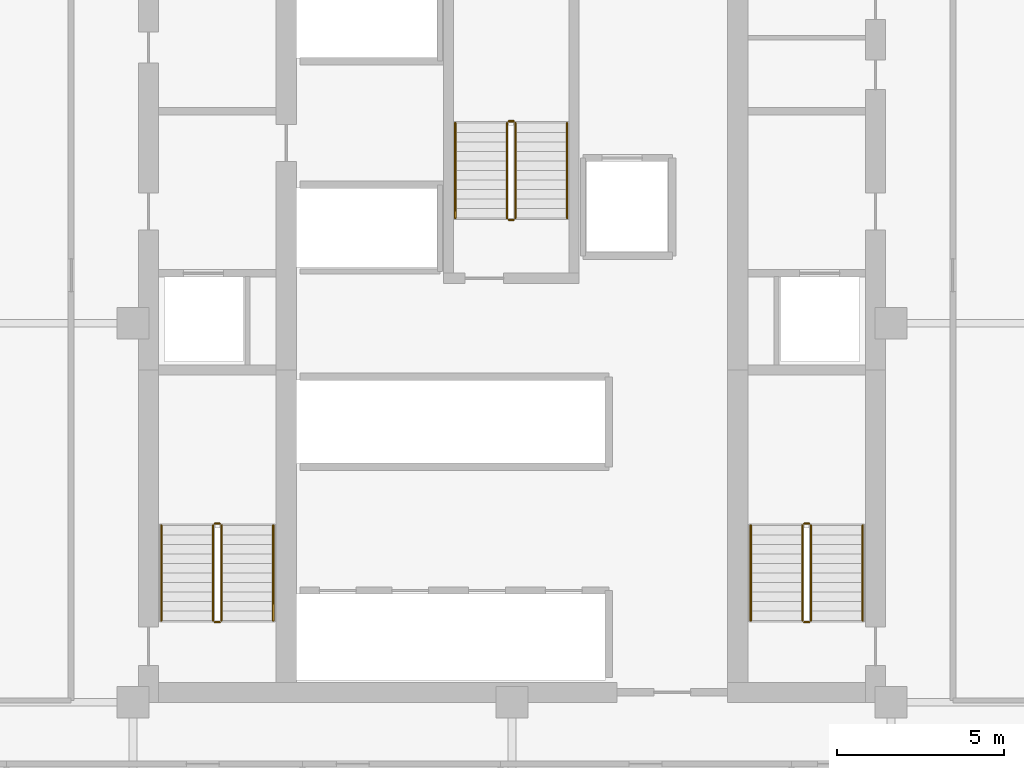
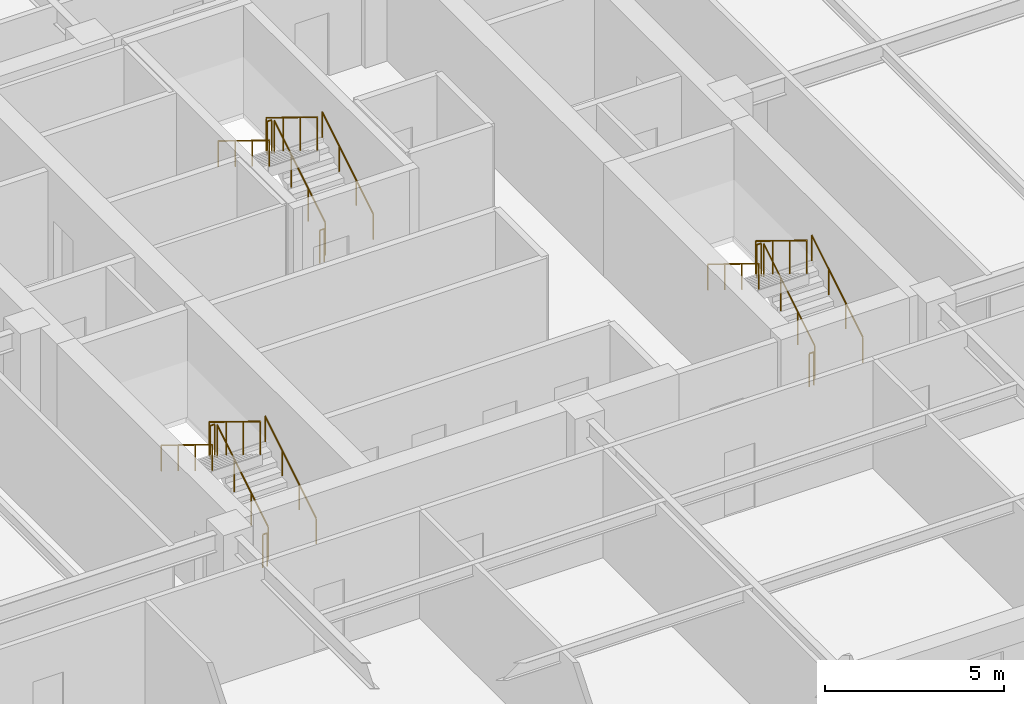
# One storey, part 6 of 6: 18 railings.
"""IFC4 building model written with IfcOpenShell, lengths in metres."""

from ifc_helpers import new_model, si_unit, direction, frame, origin, origin_2d, place, context, subcontext, project, spatial, circle, extrude, material, type_object, element, save


model = new_model("IFC4")

# Units and contexts
model_context = context("Model", 3, precision=1e-05, world=origin(), true_north=direction((0.0, 1.0)))
body_context = subcontext(model_context, "Body", "Model", "MODEL_VIEW")
ifc_project = project(units=[si_unit("LENGTHUNIT", "METRE"), si_unit("AREAUNIT", "SQUARE_METRE"), si_unit("VOLUMEUNIT", "CUBIC_METRE"), si_unit("PLANEANGLEUNIT", "RADIAN"), si_unit("MASSUNIT", "GRAM", prefix="KILO")], contexts=[model_context])

# Site, building, storey
site_placement = place(None, origin())
site = spatial("IfcSite", under=ifc_project, at=site_placement, CompositionType="ELEMENT")
building_placement = place(site_placement, origin())
building = spatial("IfcBuilding", under=site, at=building_placement, Name="Nhamokura Convention Tower", CompositionType="ELEMENT")
storey_placement = place(building_placement, frame((0.0, 0.0, 160.64990234375)))
storey = spatial("IfcBuildingStorey", under=building, at=storey_placement, Name="L39", CompositionType="ELEMENT", Elevation=160.64990234375)

# Railings
ifc_material_1 = material(Name="Anodised bronze stainless steel", Category="steel")
railing_type_1 = type_object("IfcRailingType", Name="StairWallHandrail_900", PredefinedType="HANDRAIL", material=ifc_material_1)
railing_1_placement = place(storey_placement, frame((24.85009765625, 23.10009765625, 0.175048828125)))
element("IfcRailing", 1, at=railing_1_placement, inside=storey, type_object=railing_type_1, Name="L39 ST-01 stair handrail 1", PredefinedType="HANDRAIL", context=body_context, shape_type="SweptSolid", body=[
    extrude(circle(Radius=0.02392578125, at=origin_2d()), frame((0.0, 0.0, 0.8759765625), z_axis=(0.0, 0.852159232446, 0.523282564737), x_axis=(-1.0, 0.0, 0.0)), (0.0, 0.0, 1.0), 3.34423828125),
    extrude(circle(Radius=0.02099609375, at=origin_2d()), origin(), (0.0, 0.0, 1.0), 0.851806640625),
    extrude(circle(Radius=0.02099609375, at=origin_2d()), frame((0.0, 0.949951171875, 0.583251953125)), (0.0, 0.0, 1.0), 0.851806640625),
    extrude(circle(Radius=0.02099609375, at=origin_2d()), frame((0.0, 1.89990234375, 1.166748046875)), (0.0, 0.0, 1.0), 0.851806640625),
    extrude(circle(Radius=0.02099609375, at=origin_2d()), frame((0.0, 2.849853515625, 1.75)), (0.0, 0.0, 1.0), 0.851806640625),
])
railing_2_placement = place(storey_placement, frame((21.5, 25.949951171875, 2.10009765625)))
element("IfcRailing", 2, at=railing_2_placement, inside=storey, type_object=railing_type_1, Name="L39 ST-01 stair handrail 2", PredefinedType="HANDRAIL", context=body_context, shape_type="SweptSolid", body=[
    extrude(circle(Radius=0.02392578125, at=origin_2d()), frame((0.0, 0.0, 0.8759765625), z_axis=(0.0, -0.852159232446, 0.523282564737), x_axis=(1.0, 0.0, 0.0)), (0.0, 0.0, 1.0), 3.34423828125),
    extrude(circle(Radius=0.02099609375, at=origin_2d()), origin(), (0.0, 0.0, 1.0), 0.851806640625),
    extrude(circle(Radius=0.02099609375, at=origin_2d()), frame((0.0, -0.949951171875, 0.583251953125)), (0.0, 0.0, 1.0), 0.851806640625),
    extrude(circle(Radius=0.02099609375, at=origin_2d()), frame((0.0, -1.89990234375, 1.166748046875)), (0.0, 0.0, 1.0), 0.851806640625),
    extrude(circle(Radius=0.02099609375, at=origin_2d()), frame((0.0, -2.849853515625, 1.75)), (0.0, 0.0, 1.0), 0.851806640625),
])
railing_3_placement = place(storey_placement, frame((42.5, 23.10009765625, 0.175048828125)))
element("IfcRailing", 3, at=railing_3_placement, inside=storey, type_object=railing_type_1, Name="L39 ST-02 stair handrail 1", PredefinedType="HANDRAIL", context=body_context, shape_type="SweptSolid", body=[
    extrude(circle(Radius=0.02392578125, at=origin_2d()), frame((0.0, 0.0, 0.8759765625), z_axis=(0.0, 0.852159232446, 0.523282564737), x_axis=(-1.0, 0.0, 0.0)), (0.0, 0.0, 1.0), 3.34423828125),
    extrude(circle(Radius=0.02099609375, at=origin_2d()), origin(), (0.0, 0.0, 1.0), 0.851806640625),
    extrude(circle(Radius=0.02099609375, at=origin_2d()), frame((0.0, 0.949951171875, 0.583251953125)), (0.0, 0.0, 1.0), 0.851806640625),
    extrude(circle(Radius=0.02099609375, at=origin_2d()), frame((0.0, 1.89990234375, 1.166748046875)), (0.0, 0.0, 1.0), 0.851806640625),
    extrude(circle(Radius=0.02099609375, at=origin_2d()), frame((0.0, 2.849853515625, 1.75)), (0.0, 0.0, 1.0), 0.851806640625),
])
railing_4_placement = place(storey_placement, frame((39.14990234375, 25.949951171875, 2.10009765625)))
element("IfcRailing", 4, at=railing_4_placement, inside=storey, type_object=railing_type_1, Name="L39 ST-02 stair handrail 2", PredefinedType="HANDRAIL", context=body_context, shape_type="SweptSolid", body=[
    extrude(circle(Radius=0.02392578125, at=origin_2d()), frame((0.0, 0.0, 0.8759765625), z_axis=(0.0, -0.852159232446, 0.523282564737), x_axis=(1.0, 0.0, 0.0)), (0.0, 0.0, 1.0), 3.34423828125),
    extrude(circle(Radius=0.02099609375, at=origin_2d()), origin(), (0.0, 0.0, 1.0), 0.851806640625),
    extrude(circle(Radius=0.02099609375, at=origin_2d()), frame((0.0, -0.949951171875, 0.583251953125)), (0.0, 0.0, 1.0), 0.851806640625),
    extrude(circle(Radius=0.02099609375, at=origin_2d()), frame((0.0, -1.89990234375, 1.166748046875)), (0.0, 0.0, 1.0), 0.851806640625),
    extrude(circle(Radius=0.02099609375, at=origin_2d()), frame((0.0, -2.849853515625, 1.75)), (0.0, 0.0, 1.0), 0.851806640625),
])
railing_5_placement = place(storey_placement, frame((33.64990234375, 35.14990234375, 0.175048828125)))
element("IfcRailing", 5, at=railing_5_placement, inside=storey, type_object=railing_type_1, Name="L39 ST-03 stair handrail 1", PredefinedType="HANDRAIL", context=body_context, shape_type="SweptSolid", body=[
    extrude(circle(Radius=0.02392578125, at=origin_2d()), frame((0.0, 0.0, 0.8759765625), z_axis=(0.0, 0.852179220489, 0.52325001306), x_axis=(-1.0, 0.0, 0.0)), (0.0, 0.0, 1.0), 3.344482421875),
    extrude(circle(Radius=0.02099609375, at=origin_2d()), origin(), (0.0, 0.0, 1.0), 0.851806640625),
    extrude(circle(Radius=0.02099609375, at=origin_2d()), frame((0.0, 0.949951171875, 0.583251953125)), (0.0, 0.0, 1.0), 0.851806640625),
    extrude(circle(Radius=0.02099609375, at=origin_2d()), frame((0.0, 1.900146484375, 1.166748046875)), (0.0, 0.0, 1.0), 0.851806640625),
    extrude(circle(Radius=0.02099609375, at=origin_2d()), frame((0.0, 2.85009765625, 1.75)), (0.0, 0.0, 1.0), 0.851806640625),
])
railing_6_placement = place(storey_placement, frame((30.300048828125, 38.0, 2.10009765625)))
element("IfcRailing", 6, at=railing_6_placement, inside=storey, type_object=railing_type_1, Name="L39 ST-03 stair handrail 2", PredefinedType="HANDRAIL", context=body_context, shape_type="SweptSolid", body=[
    extrude(circle(Radius=0.02392578125, at=origin_2d()), frame((0.0, 0.0, 0.8759765625), z_axis=(0.0, -0.852179220489, 0.52325001306), x_axis=(1.0, 0.0, 0.0)), (0.0, 0.0, 1.0), 3.344482421875),
    extrude(circle(Radius=0.02099609375, at=origin_2d()), origin(), (0.0, 0.0, 1.0), 0.851806640625),
    extrude(circle(Radius=0.02099609375, at=origin_2d()), frame((0.0, -0.949951171875, 0.583251953125)), (0.0, 0.0, 1.0), 0.851806640625),
    extrude(circle(Radius=0.02099609375, at=origin_2d()), frame((0.0, -1.900146484375, 1.166748046875)), (0.0, 0.0, 1.0), 0.851806640625),
    extrude(circle(Radius=0.02099609375, at=origin_2d()), frame((0.0, -2.85009765625, 1.75)), (0.0, 0.0, 1.0), 0.851806640625),
])
ifc_material_2 = material(Name="Painted tubular steel", Category="steel")
railing_type_2 = type_object("IfcRailingType", Name="StairWellGuardrail_1150", PredefinedType="GUARDRAIL", material=ifc_material_2)
railing_7_placement = place(storey_placement, frame((23.300048828125, 23.10009765625, 0.175048828125)))
element("IfcRailing", 7, at=railing_7_placement, inside=storey, type_object=railing_type_2, Name="L39 ST-01 stair guard 1", PredefinedType="GUARDRAIL", context=body_context, shape_type="SweptSolid", body=[
    extrude(circle(Radius=0.02392578125, at=origin_2d()), frame((0.0, 0.0, 1.1259765625), z_axis=(0.0, 0.852159232446, 0.523282564737), x_axis=(-1.0, 0.0, 0.0)), (0.0, 0.0, 1.0), 3.34423828125),
    extrude(circle(Radius=0.02099609375, at=origin_2d()), origin(), (0.0, 0.0, 1.0), 1.101806640625),
    extrude(circle(Radius=0.02099609375, at=origin_2d()), frame((0.0, 0.949951171875, 0.583251953125)), (0.0, 0.0, 1.0), 1.101806640625),
    extrude(circle(Radius=0.02099609375, at=origin_2d()), frame((0.0, 1.89990234375, 1.166748046875)), (0.0, 0.0, 1.0), 1.101806640625),
    extrude(circle(Radius=0.02099609375, at=origin_2d()), frame((0.0, 2.849853515625, 1.75)), (0.0, 0.0, 1.0), 1.101806640625),
])
railing_8_placement = place(storey_placement, frame((23.25, 26.0, 1.925048828125)))
element("IfcRailing", 8, at=railing_8_placement, inside=storey, type_object=railing_type_2, Name="L39 ST-01 stair guard 2", PredefinedType="GUARDRAIL", context=body_context, shape_type="SweptSolid", body=[
    extrude(circle(Radius=0.02392578125, at=origin_2d()), frame((0.0, 0.0, 1.1259765625), z_axis=(-1.0, 0.0, 0.0), x_axis=(0.0, -1.0, 0.0)), (0.0, 0.0, 1.0), 0.14990234375),
    extrude(circle(Radius=0.02099609375, at=origin_2d()), origin(), (0.0, 0.0, 1.0), 1.101806640625),
    extrude(circle(Radius=0.02099609375, at=origin_2d()), frame((-0.14990234375, 0.0, 0.0)), (0.0, 0.0, 1.0), 1.101806640625),
])
railing_9_placement = place(storey_placement, frame((23.050048828125, 25.949951171875, 2.10009765625)))
element("IfcRailing", 9, at=railing_9_placement, inside=storey, type_object=railing_type_2, Name="L39 ST-01 stair guard 3", PredefinedType="GUARDRAIL", context=body_context, shape_type="SweptSolid", body=[
    extrude(circle(Radius=0.02392578125, at=origin_2d()), frame((0.0, 0.0, 1.1259765625), z_axis=(0.0, -0.852159232446, 0.523282564737), x_axis=(1.0, 0.0, 0.0)), (0.0, 0.0, 1.0), 3.34423828125),
    extrude(circle(Radius=0.02099609375, at=origin_2d()), origin(), (0.0, 0.0, 1.0), 1.101806640625),
    extrude(circle(Radius=0.02099609375, at=origin_2d()), frame((0.0, -0.949951171875, 0.583251953125)), (0.0, 0.0, 1.0), 1.101806640625),
    extrude(circle(Radius=0.02099609375, at=origin_2d()), frame((0.0, -1.89990234375, 1.166748046875)), (0.0, 0.0, 1.0), 1.101806640625),
    extrude(circle(Radius=0.02099609375, at=origin_2d()), frame((0.0, -2.849853515625, 1.75)), (0.0, 0.0, 1.0), 1.101806640625),
])
railing_10_placement = place(storey_placement, frame((23.25, 23.050048828125, 0.0)))
element("IfcRailing", 10, at=railing_10_placement, inside=storey, type_object=railing_type_2, Name="L39 ST-01 stair guard 4", PredefinedType="GUARDRAIL", context=body_context, shape_type="SweptSolid", body=[
    extrude(circle(Radius=0.02392578125, at=origin_2d()), frame((0.0, 0.0, 1.1259765625), z_axis=(-1.0, 0.0, 0.0), x_axis=(0.0, -1.0, 0.0)), (0.0, 0.0, 1.0), 0.14990234375),
    extrude(circle(Radius=0.02099609375, at=origin_2d()), origin(), (0.0, 0.0, 1.0), 1.101806640625),
    extrude(circle(Radius=0.02099609375, at=origin_2d()), frame((-0.14990234375, 0.0, 0.0)), (0.0, 0.0, 1.0), 1.101806640625),
])
railing_11_placement = place(storey_placement, frame((40.949951171875, 23.10009765625, 0.175048828125)))
element("IfcRailing", 11, at=railing_11_placement, inside=storey, type_object=railing_type_2, Name="L39 ST-02 stair guard 1", PredefinedType="GUARDRAIL", context=body_context, shape_type="SweptSolid", body=[
    extrude(circle(Radius=0.02392578125, at=origin_2d()), frame((0.0, 0.0, 1.1259765625), z_axis=(0.0, 0.852159232446, 0.523282564737), x_axis=(-1.0, 0.0, 0.0)), (0.0, 0.0, 1.0), 3.34423828125),
    extrude(circle(Radius=0.02099609375, at=origin_2d()), origin(), (0.0, 0.0, 1.0), 1.101806640625),
    extrude(circle(Radius=0.02099609375, at=origin_2d()), frame((0.0, 0.949951171875, 0.583251953125)), (0.0, 0.0, 1.0), 1.101806640625),
    extrude(circle(Radius=0.02099609375, at=origin_2d()), frame((0.0, 1.89990234375, 1.166748046875)), (0.0, 0.0, 1.0), 1.101806640625),
    extrude(circle(Radius=0.02099609375, at=origin_2d()), frame((0.0, 2.849853515625, 1.75)), (0.0, 0.0, 1.0), 1.101806640625),
])
railing_12_placement = place(storey_placement, frame((40.89990234375, 26.0, 1.925048828125)))
element("IfcRailing", 12, at=railing_12_placement, inside=storey, type_object=railing_type_2, Name="L39 ST-02 stair guard 2", PredefinedType="GUARDRAIL", context=body_context, shape_type="SweptSolid", body=[
    extrude(circle(Radius=0.02392578125, at=origin_2d()), frame((0.0, 0.0, 1.1259765625), z_axis=(-1.0, 0.0, 0.0), x_axis=(0.0, -1.0, 0.0)), (0.0, 0.0, 1.0), 0.14990234375),
    extrude(circle(Radius=0.02099609375, at=origin_2d()), origin(), (0.0, 0.0, 1.0), 1.101806640625),
    extrude(circle(Radius=0.02099609375, at=origin_2d()), frame((-0.14990234375, 0.0, 0.0)), (0.0, 0.0, 1.0), 1.101806640625),
])
railing_13_placement = place(storey_placement, frame((40.699951171875, 25.949951171875, 2.10009765625)))
element("IfcRailing", 13, at=railing_13_placement, inside=storey, type_object=railing_type_2, Name="L39 ST-02 stair guard 3", PredefinedType="GUARDRAIL", context=body_context, shape_type="SweptSolid", body=[
    extrude(circle(Radius=0.02392578125, at=origin_2d()), frame((0.0, 0.0, 1.1259765625), z_axis=(0.0, -0.852159232446, 0.523282564737), x_axis=(1.0, 0.0, 0.0)), (0.0, 0.0, 1.0), 3.34423828125),
    extrude(circle(Radius=0.02099609375, at=origin_2d()), origin(), (0.0, 0.0, 1.0), 1.101806640625),
    extrude(circle(Radius=0.02099609375, at=origin_2d()), frame((0.0, -0.949951171875, 0.583251953125)), (0.0, 0.0, 1.0), 1.101806640625),
    extrude(circle(Radius=0.02099609375, at=origin_2d()), frame((0.0, -1.89990234375, 1.166748046875)), (0.0, 0.0, 1.0), 1.101806640625),
    extrude(circle(Radius=0.02099609375, at=origin_2d()), frame((0.0, -2.849853515625, 1.75)), (0.0, 0.0, 1.0), 1.101806640625),
])
railing_14_placement = place(storey_placement, frame((40.89990234375, 23.050048828125, 0.0)))
element("IfcRailing", 14, at=railing_14_placement, inside=storey, type_object=railing_type_2, Name="L39 ST-02 stair guard 4", PredefinedType="GUARDRAIL", context=body_context, shape_type="SweptSolid", body=[
    extrude(circle(Radius=0.02392578125, at=origin_2d()), frame((0.0, 0.0, 1.1259765625), z_axis=(-1.0, 0.0, 0.0), x_axis=(0.0, -1.0, 0.0)), (0.0, 0.0, 1.0), 0.14990234375),
    extrude(circle(Radius=0.02099609375, at=origin_2d()), origin(), (0.0, 0.0, 1.0), 1.101806640625),
    extrude(circle(Radius=0.02099609375, at=origin_2d()), frame((-0.14990234375, 0.0, 0.0)), (0.0, 0.0, 1.0), 1.101806640625),
])
railing_15_placement = place(storey_placement, frame((32.10009765625, 35.14990234375, 0.175048828125)))
element("IfcRailing", 15, at=railing_15_placement, inside=storey, type_object=railing_type_2, Name="L39 ST-03 stair guard 1", PredefinedType="GUARDRAIL", context=body_context, shape_type="SweptSolid", body=[
    extrude(circle(Radius=0.02392578125, at=origin_2d()), frame((0.0, 0.0, 1.1259765625), z_axis=(0.0, 0.852179220489, 0.52325001306), x_axis=(-1.0, 0.0, 0.0)), (0.0, 0.0, 1.0), 3.344482421875),
    extrude(circle(Radius=0.02099609375, at=origin_2d()), origin(), (0.0, 0.0, 1.0), 1.101806640625),
    extrude(circle(Radius=0.02099609375, at=origin_2d()), frame((0.0, 0.949951171875, 0.583251953125)), (0.0, 0.0, 1.0), 1.101806640625),
    extrude(circle(Radius=0.02099609375, at=origin_2d()), frame((0.0, 1.900146484375, 1.166748046875)), (0.0, 0.0, 1.0), 1.101806640625),
    extrude(circle(Radius=0.02099609375, at=origin_2d()), frame((0.0, 2.85009765625, 1.75)), (0.0, 0.0, 1.0), 1.101806640625),
])
railing_16_placement = place(storey_placement, frame((32.050048828125, 38.050048828125, 1.925048828125)))
element("IfcRailing", 16, at=railing_16_placement, inside=storey, type_object=railing_type_2, Name="L39 ST-03 stair guard 2", PredefinedType="GUARDRAIL", context=body_context, shape_type="SweptSolid", body=[
    extrude(circle(Radius=0.02392578125, at=origin_2d()), frame((0.0, 0.0, 1.1259765625), z_axis=(-1.0, 0.0, 0.0), x_axis=(0.0, -1.0, 0.0)), (0.0, 0.0, 1.0), 0.150146484375),
    extrude(circle(Radius=0.02099609375, at=origin_2d()), origin(), (0.0, 0.0, 1.0), 1.101806640625),
    extrude(circle(Radius=0.02099609375, at=origin_2d()), frame((-0.150146484375, 0.0, 0.0)), (0.0, 0.0, 1.0), 1.101806640625),
])
railing_17_placement = place(storey_placement, frame((31.85009765625, 38.0, 2.10009765625)))
element("IfcRailing", 17, at=railing_17_placement, inside=storey, type_object=railing_type_2, Name="L39 ST-03 stair guard 3", PredefinedType="GUARDRAIL", context=body_context, shape_type="SweptSolid", body=[
    extrude(circle(Radius=0.02392578125, at=origin_2d()), frame((0.0, 0.0, 1.1259765625), z_axis=(0.0, -0.852179220489, 0.52325001306), x_axis=(1.0, 0.0, 0.0)), (0.0, 0.0, 1.0), 3.344482421875),
    extrude(circle(Radius=0.02099609375, at=origin_2d()), origin(), (0.0, 0.0, 1.0), 1.101806640625),
    extrude(circle(Radius=0.02099609375, at=origin_2d()), frame((0.0, -0.949951171875, 0.583251953125)), (0.0, 0.0, 1.0), 1.101806640625),
    extrude(circle(Radius=0.02099609375, at=origin_2d()), frame((0.0, -1.900146484375, 1.166748046875)), (0.0, 0.0, 1.0), 1.101806640625),
    extrude(circle(Radius=0.02099609375, at=origin_2d()), frame((0.0, -2.85009765625, 1.75)), (0.0, 0.0, 1.0), 1.101806640625),
])
railing_18_placement = place(storey_placement, frame((32.050048828125, 35.10009765625, 0.0)))
element("IfcRailing", 18, at=railing_18_placement, inside=storey, type_object=railing_type_2, Name="L39 ST-03 stair guard 4", PredefinedType="GUARDRAIL", context=body_context, shape_type="SweptSolid", body=[
    extrude(circle(Radius=0.02392578125, at=origin_2d()), frame((0.0, 0.0, 1.1259765625), z_axis=(-1.0, 0.0, 0.0), x_axis=(0.0, -1.0, 0.0)), (0.0, 0.0, 1.0), 0.150146484375),
    extrude(circle(Radius=0.02099609375, at=origin_2d()), origin(), (0.0, 0.0, 1.0), 1.101806640625),
    extrude(circle(Radius=0.02099609375, at=origin_2d()), frame((-0.150146484375, 0.0, 0.0)), (0.0, 0.0, 1.0), 1.101806640625),
])

save(model, "model.ifc")
